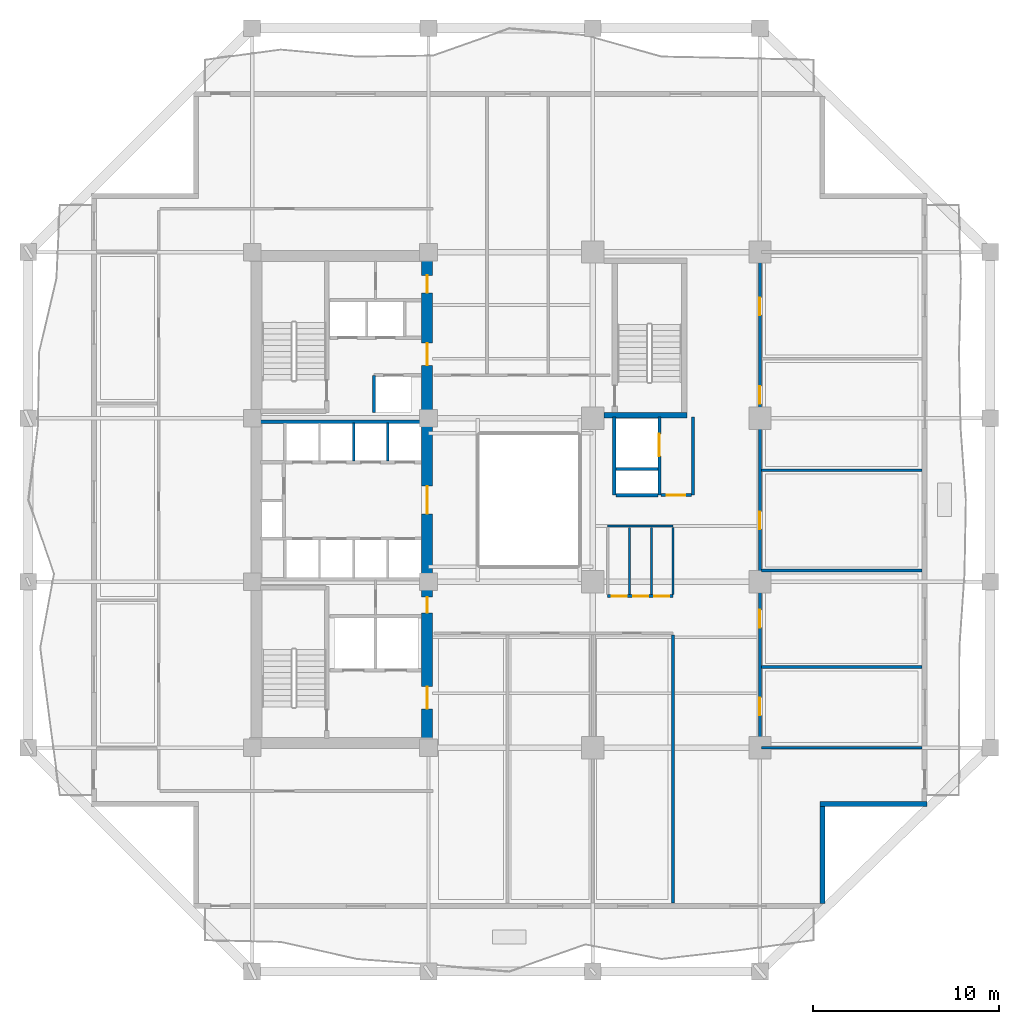
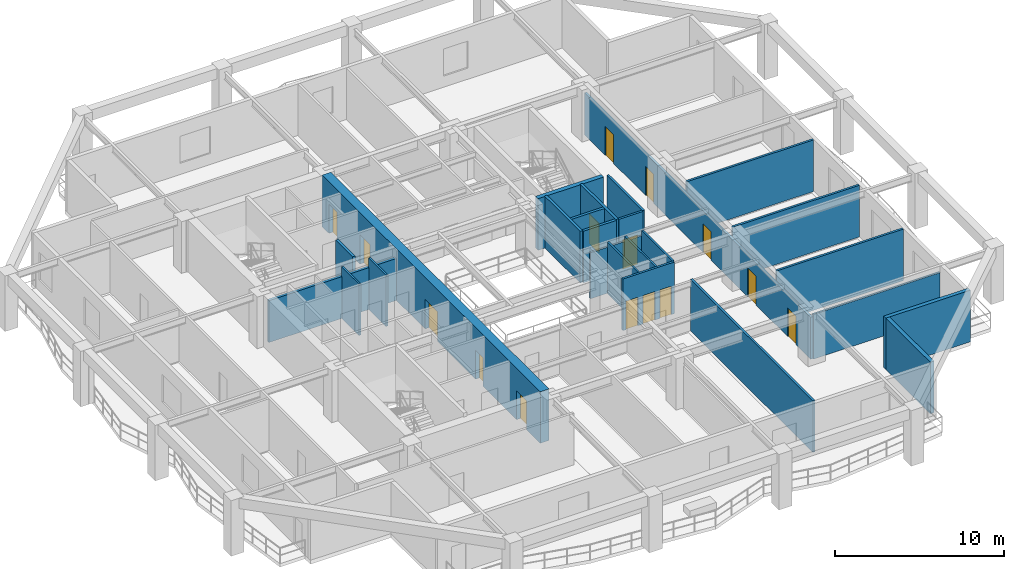
# One storey, part 4 of 13: 25 walls, 15 doors, 15 openings.
"""IFC4 building model written with IfcOpenShell, lengths in metres."""

import ifcopenshell
import ifcopenshell.guid

model = None  # the IFC model being written
_history = None  # IfcOwnerHistory: only IFC2X3 demands one
_inside = {}  # id of a spatial element -> (the spatial element, [elements in it])
_under = {}  # id of a project, library or spatial element -> (it, [spatial elements below it])
_declared = {}  # id of a project -> (the project, [libraries it declares])
_typed = {}  # id of a type object -> (the type object, [elements of that type])
_made_of = {}  # id of a material, layer set ... -> (it, [elements and type objects made of it])


def new_model(schema):
    """Start an empty IFC model of exactly this schema.

    Asked for "IFC4X3", IfcOpenShell would pick the latest addendum, in which some entities
    have other attributes; the version numbers below select the first issue.
    IFC2X3 requires an IfcOwnerHistory on every rooted entity: one is made here for all.
    """
    global model, _history
    if schema == "IFC4X3":
        model = ifcopenshell.file(schema_version=(4, 3, 0, 0))
    else:
        model = ifcopenshell.file(schema=schema)
    _inside.clear()
    _under.clear()
    _declared.clear()
    _typed.clear()
    _made_of.clear()
    _history = None
    if model.schema == "IFC2X3":
        org = make("IfcOrganization", Name="unknown")
        user = make(
            "IfcPersonAndOrganization",
            ThePerson=make("IfcPerson", FamilyName="unknown"),
            TheOrganization=org,
        )
        app = make(
            "IfcApplication",
            ApplicationDeveloper=org,
            Version="unknown",
            ApplicationFullName="unknown",
            ApplicationIdentifier="unknown",
        )
        _history = make(
            "IfcOwnerHistory",
            OwningUser=user,
            OwningApplication=app,
            ChangeAction="ADDED",
            CreationDate=0,
        )
    return model


def make(cls, **values):
    """One entity of the class cls with the attributes given. An attribute that is None is left unset."""
    return model.create_entity(
        cls, **{name: value for name, value in values.items() if value is not None}
    )


def rooted(cls, **values):
    """An entity with a GlobalId (a new one), such as an element, a storey or a relation."""
    return make(cls, GlobalId=ifcopenshell.guid.new(), OwnerHistory=_history, **values)


def si_unit(unit_type, name, prefix=None):
    """IfcSIUnit, for example si_unit("LENGTHUNIT", "METRE", prefix="MILLI")."""
    return make("IfcSIUnit", UnitType=unit_type, Prefix=prefix, Name=name)


def assignment(units):
    """IfcUnitAssignment: the units of a project."""
    return None if units is None else make("IfcUnitAssignment", Units=units)


def point(xyz):
    """IfcCartesianPoint."""
    return None if xyz is None else make("IfcCartesianPoint", Coordinates=xyz)


def direction(xyz):
    """IfcDirection."""
    return None if xyz is None else make("IfcDirection", DirectionRatios=xyz)


def frame(location, z_axis=None, x_axis=None):
    """IfcAxis2Placement3D, a coordinate frame: its origin and axes. An axis left out is left unset."""
    return make(
        "IfcAxis2Placement3D",
        Location=point(location),
        Axis=direction(z_axis),
        RefDirection=direction(x_axis),
    )


def frame_2d(location, x_axis=None):
    """IfcAxis2Placement2D, a coordinate frame in the plane: its origin and x axis."""
    return make(
        "IfcAxis2Placement2D", Location=point(location), RefDirection=direction(x_axis)
    )


def origin():
    """The frame at (0, 0, 0) with its axes left unset."""
    return frame((0.0, 0.0, 0.0))


def place(relative_to, where):
    """IfcLocalPlacement: puts the frame where relative to a parent placement (None: the world)."""
    return make(
        "IfcLocalPlacement", PlacementRelTo=relative_to, RelativePlacement=where
    )


def context(
    kind, dimensions, precision=None, world=None, true_north=None, identifier=None
):
    """IfcGeometricRepresentationContext, for example the 3D "Model" context."""
    return make(
        "IfcGeometricRepresentationContext",
        ContextIdentifier=identifier,
        ContextType=kind,
        CoordinateSpaceDimension=dimensions,
        Precision=precision,
        WorldCoordinateSystem=world,
        TrueNorth=true_north,
    )


def subcontext(parent, identifier, kind, view, scale=None):
    """IfcGeometricRepresentationSubContext, for example "Body" below "Model"."""
    return make(
        "IfcGeometricRepresentationSubContext",
        ContextIdentifier=identifier,
        ContextType=kind,
        ParentContext=parent,
        TargetScale=scale,
        TargetView=view,
    )


def project(units=None, contexts=None):
    """IfcProject with its units and contexts."""
    return rooted(
        "IfcProject",
        Name="project",
        RepresentationContexts=contexts,
        UnitsInContext=assignment(units),
    )


def spatial(cls, under=None, at=None, **own):
    """A site, building, storey or space (cls), placed at a placement, below another one or the project."""
    s = rooted(cls, ObjectPlacement=at, **own)
    if under is not None:
        _under.setdefault(under.id(), (under, []))[1].append(s)
    return s


def profile(cls, at=None, kind="AREA", **sizes):
    """A parametric profile (cls). Its sizes go by their IFC names, for example OverallWidth=200.0."""
    return make(cls, ProfileType=kind, Position=at, **sizes)


def rectangle(**sizes):
    """IfcRectangleProfileDef."""
    return profile("IfcRectangleProfileDef", **sizes)


def extrude(swept, where, along, depth):
    """IfcExtrudedAreaSolid: the profile swept, set in the frame where, extruded along a direction by depth."""
    return make(
        "IfcExtrudedAreaSolid",
        SweptArea=swept,
        Position=where,
        ExtrudedDirection=direction(along),
        Depth=depth,
    )


def shape(context_of_items, identifier, shape_type, items):
    """IfcShapeRepresentation: the items that make up one representation, for example the "Body"."""
    return make(
        "IfcShapeRepresentation",
        ContextOfItems=context_of_items,
        RepresentationIdentifier=identifier,
        RepresentationType=shape_type,
        Items=items,
    )


def material(Name=None, Category=None):
    """IfcMaterial."""
    return make("IfcMaterial", Name=Name, Category=Category)


def layer(
    of_material, thickness, ventilated=None, Name=None, Category=None, Priority=None
):
    """IfcMaterialLayer: one layer of a wall or slab, of a material (None: an air gap)."""
    return make(
        "IfcMaterialLayer",
        Material=of_material,
        LayerThickness=thickness,
        IsVentilated=ventilated,
        Name=Name,
        Category=Category,
        Priority=Priority,
    )


def layer_set(layers, Name=None):
    """IfcMaterialLayerSet."""
    return make("IfcMaterialLayerSet", MaterialLayers=layers, LayerSetName=Name)


def made_of(thing, what):
    """Note that an element or type object is made of a material, layer set ...; save() writes the relation."""
    if what is not None:
        _made_of.setdefault(what.id(), (what, []))[1].append(thing)
    return thing


def type_object(cls, material=None, **own):
    """A type object (cls), such as IfcWallType, which elements share."""
    return made_of(rooted(cls, **own), material)


def element(
    cls,
    number,
    at=None,
    inside=None,
    cuts=None,
    type_object=None,
    material=None,
    context=None,
    identifier="Body",
    shape_type=None,
    held_by="IfcProductDefinitionShape",
    body=None,
    shapes=None,
    **own,
):
    """One element of the class cls, such as IfcWall. Its Tag is "e" and its number.

    at: its placement. inside: the storey or other place that contains it. cuts: it is an
    opening in that element (IfcRelVoidsElement). A single representation is given by context,
    identifier, shape_type and body (its items); several are given by shapes. held_by: the class
    of the entity that holds the representations. save() writes the other relations.
    """
    e = rooted(cls, Tag="e%d" % number, ObjectPlacement=at, **own)
    if body is not None:
        shapes = [shape(context, identifier, shape_type, body)]
    if shapes is not None:
        e.Representation = make(held_by, Representations=shapes)
    if inside is not None:
        _inside.setdefault(inside.id(), (inside, []))[1].append(e)
    if cuts is not None:
        rooted(
            "IfcRelVoidsElement", RelatingBuildingElement=cuts, RelatedOpeningElement=e
        )
    if type_object is not None:
        _typed.setdefault(type_object.id(), (type_object, []))[1].append(e)
    return made_of(e, material)


def fill(opening, filler):
    """IfcRelFillsElement: the door or window that sits in an opening."""
    return rooted(
        "IfcRelFillsElement",
        RelatingOpeningElement=opening,
        RelatedBuildingElement=filler,
    )


def aggregate(whole, parts):
    """IfcRelAggregates: a whole, such as a stair, and the parts it consists of."""
    return rooted("IfcRelAggregates", RelatingObject=whole, RelatedObjects=parts)


def save(model, path):
    """Write the relations noted so far, then the file.

    IfcRelAggregates (storeys below a building ...), IfcRelContainedInSpatialStructure (elements
    in a storey), IfcRelDefinesByType, IfcRelAssociatesMaterial and IfcRelDeclares: one each for
    every whole, place, type object, material and project.
    """
    for whole, parts in _under.values():
        aggregate(whole, parts)
    for where, things in _inside.values():
        rooted(
            "IfcRelContainedInSpatialStructure",
            RelatedElements=things,
            RelatingStructure=where,
        )
    for kind, things in _typed.values():
        rooted("IfcRelDefinesByType", RelatedObjects=things, RelatingType=kind)
    for what, things in _made_of.values():
        rooted("IfcRelAssociatesMaterial", RelatedObjects=things, RelatingMaterial=what)
    for by, libraries in _declared.values():
        rooted("IfcRelDeclares", RelatingContext=by, RelatedDefinitions=libraries)
    model.write(path)


model = new_model("IFC4")

# Units and contexts
model_context = context("Model", 3, precision=1e-05, world=origin(), true_north=direction((0.0, 1.0)))
body_context = subcontext(model_context, "Body", "Model", "MODEL_VIEW")
ifc_project = project(units=[si_unit("LENGTHUNIT", "METRE"), si_unit("AREAUNIT", "SQUARE_METRE"), si_unit("VOLUMEUNIT", "CUBIC_METRE"), si_unit("PLANEANGLEUNIT", "RADIAN"), si_unit("MASSUNIT", "GRAM", prefix="KILO")], contexts=[model_context])

# Site, building, storey
site_placement = place(None, origin())
site = spatial("IfcSite", under=ifc_project, at=site_placement, CompositionType="ELEMENT")
building_placement = place(site_placement, origin())
building = spatial("IfcBuilding", under=site, at=building_placement, Name="Kundavana Baori Tower", CompositionType="ELEMENT")
storey_placement = place(building_placement, frame((0.0, 0.0, 58.0)))
storey = spatial("IfcBuildingStorey", under=building, at=storey_placement, Name="L13", CompositionType="ELEMENT", Elevation=58.0)

# Wall, openings, doors
ifc_material_1 = material(Name="Concrete C60/75", Category="concrete")
ifc_layer_1 = layer(ifc_material_1, 0.60009765625, Name="WL-CORE-600")
ifc_layer_set_1 = layer_set([ifc_layer_1], Name="Concrete C60/75")
wall_type_1 = type_object("IfcWallType", Name="WL-CORE-600", PredefinedType="SHEAR", material=ifc_layer_set_1)
wall_1_placement = place(storey_placement, frame((24.8798828125, 15.739990234375, 0.0), z_axis=(0.0, 0.0, 1.0), x_axis=(0.0, 1.0, 0.0)))
wall_1 = element("IfcWall", 1, at=wall_1_placement, inside=storey, type_object=wall_type_1, Name="L13 Offset Core East Shear Wall", PredefinedType="SHEAR", context=body_context, shape_type="SweptSolid", body=[
    extrude(rectangle(XDim=25.760009765625, YDim=0.60009765625, at=frame_2d((12.8798828125, 0.0))), origin(), (0.0, 0.0, 1.0), 3.719970703125),
])
opening_1_placement = place(wall_1_placement, frame((1.610107421875, 0.0, 0.0)))
opening_1 = element("IfcOpeningElement", 2, at=opening_1_placement, cuts=wall_1, Name="Opening FD-120", PredefinedType="OPENING", context=body_context, shape_type="SweptSolid", body=[
    extrude(rectangle(XDim=1.199951171875, YDim=2.10009765625, at=frame_2d((0.60009765625, 1.050048828125))), frame((0.0, 0.31005859375, 0.0), z_axis=(0.0, -1.0, 0.0), x_axis=(1.0, 0.0, 0.0)), (0.0, 0.0, 1.0), 0.6201171875),
])
opening_2_placement = place(wall_1_placement, frame((6.780029296875, 0.0, 0.0)))
opening_2 = element("IfcOpeningElement", 3, at=opening_2_placement, cuts=wall_1, Name="Opening FD-085", PredefinedType="OPENING", context=body_context, shape_type="SweptSolid", body=[
    extrude(rectangle(XDim=0.85009765625, YDim=2.06005859375, at=frame_2d((0.425048828125, 1.030029296875))), frame((0.0, 0.31005859375, 0.0), z_axis=(0.0, -1.0, 0.0), x_axis=(1.0, 0.0, 0.0)), (0.0, 0.0, 1.0), 0.6201171875),
])
opening_3_placement = place(wall_1_placement, frame((12.110107421875, 0.0, 0.0)))
opening_3 = element("IfcOpeningElement", 4, at=opening_3_placement, cuts=wall_1, Name="Opening FD-150", PredefinedType="OPENING", context=body_context, shape_type="SweptSolid", body=[
    extrude(rectangle(XDim=1.5, YDim=2.1201171875, at=frame_2d((0.75, 1.06005859375))), frame((0.0, 0.31005859375, 0.0), z_axis=(0.0, -1.0, 0.0), x_axis=(1.0, 0.0, 0.0)), (0.0, 0.0, 1.0), 0.6201171875),
])
opening_4_placement = place(wall_1_placement, frame((20.110107421875, 0.0, 0.0)))
opening_4 = element("IfcOpeningElement", 5, at=opening_4_placement, cuts=wall_1, Name="Opening FD-122", PredefinedType="OPENING", context=body_context, shape_type="SweptSolid", body=[
    extrude(rectangle(XDim=1.199951171875, YDim=2.1201171875, at=frame_2d((0.60009765625, 1.06005859375))), frame((0.0, 0.31005859375, 0.0), z_axis=(0.0, -1.0, 0.0), x_axis=(1.0, 0.0, 0.0)), (0.0, 0.0, 1.0), 0.6201171875),
])
opening_5_placement = place(wall_1_placement, frame((24.010009765625, 0.0, 0.0)))
opening_5 = element("IfcOpeningElement", 6, at=opening_5_placement, cuts=wall_1, Name="Opening FD-095", PredefinedType="OPENING", context=body_context, shape_type="SweptSolid", body=[
    extrude(rectangle(XDim=0.949951171875, YDim=2.10009765625, at=frame_2d((0.47509765625, 1.050048828125))), frame((0.0, 0.31005859375, 0.0), z_axis=(0.0, -1.0, 0.0), x_axis=(1.0, 0.0, 0.0)), (0.0, 0.0, 1.0), 0.6201171875),
])
ifc_material_2 = material(Name="Galvanised Steel Fire-Rated Door Leaf", Category="steel")
door_type_1 = type_object("IfcDoorType", Name="DR-FD120-1200", OperationType="NOTDEFINED", PredefinedType="DOOR", material=ifc_material_2)
door_1_placement = place(opening_1_placement, frame((1.199951171875, 0.0, 0.0), z_axis=(0.0, 0.0, 1.0), x_axis=(-1.0, 0.0, 0.0)))
door_1 = element("IfcDoor", 7, at=door_1_placement, inside=storey, type_object=door_type_1, Name="DR-L13-FFLOB-E", OperationType="SINGLE_SWING_RIGHT", OverallHeight=2.10009765625, OverallWidth=1.199951171875, PredefinedType="DOOR", context=body_context, shape_type="SweptSolid", body=[
    extrude(rectangle(XDim=1.199951171875, YDim=2.10009765625, at=frame_2d((0.60009765625, 1.050048828125))), frame((0.0, 0.02490234375, 0.0), z_axis=(0.0, -1.0, 0.0), x_axis=(1.0, 0.0, 0.0)), (0.0, 0.0, 1.0), 0.050048828125),
])
fill(opening_1, door_1)
ifc_material_3 = material(Name="Galvanised Steel Fire-Rated Door Leaf", Category="steel")
door_type_2 = type_object("IfcDoorType", Name="DR-FD60-1200", OperationType="NOTDEFINED", PredefinedType="DOOR", material=ifc_material_3)
door_2_placement = place(opening_4_placement, frame((1.199951171875, 0.0, 0.0), z_axis=(0.0, 0.0, 1.0), x_axis=(-1.0, 0.0, 0.0)))
door_2 = element("IfcDoor", 8, at=door_2_placement, inside=storey, type_object=door_type_2, Name="DR-L13-HRLOB-E", OperationType="SINGLE_SWING_RIGHT", OverallHeight=2.1201171875, OverallWidth=1.199951171875, PredefinedType="DOOR", context=body_context, shape_type="SweptSolid", body=[
    extrude(rectangle(XDim=1.199951171875, YDim=2.1201171875, at=frame_2d((0.60009765625, 1.06005859375))), frame((0.0, 0.02490234375, 0.0), z_axis=(0.0, -1.0, 0.0), x_axis=(1.0, 0.0, 0.0)), (0.0, 0.0, 1.0), 0.050048828125),
])
fill(opening_4, door_2)
ifc_material_4 = material(Name="Galvanised Steel Fire-Rated Door Leaf", Category="steel")
door_type_3 = type_object("IfcDoorType", Name="DR-FD60-1500", OperationType="NOTDEFINED", PredefinedType="DOOR", material=ifc_material_4)
door_3_placement = place(opening_3_placement, frame((1.5, 0.0, 0.0), z_axis=(0.0, 0.0, 1.0), x_axis=(-1.0, 0.0, 0.0)))
door_3 = element("IfcDoor", 9, at=door_3_placement, inside=storey, type_object=door_type_3, Name="DR-L13-LIFTHALL-E", OperationType="SINGLE_SWING_LEFT", OverallHeight=2.1201171875, OverallWidth=1.5, PredefinedType="DOOR", context=body_context, shape_type="SweptSolid", body=[
    extrude(rectangle(XDim=1.5, YDim=2.1201171875, at=frame_2d((0.75, 1.06005859375))), frame((0.0, 0.02490234375, 0.0), z_axis=(0.0, -1.0, 0.0), x_axis=(1.0, 0.0, 0.0)), (0.0, 0.0, 1.0), 0.050048828125),
])
fill(opening_3, door_3)
ifc_material_5 = material(Name="Galvanised Steel Fire-Rated Door Leaf", Category="steel")
door_type_4 = type_object("IfcDoorType", Name="DR-FD60-850", OperationType="NOTDEFINED", PredefinedType="DOOR", material=ifc_material_5)
door_4_placement = place(opening_2_placement, frame((0.85009765625, 0.0, 0.0), z_axis=(0.0, 0.0, 1.0), x_axis=(-1.0, 0.0, 0.0)))
door_4 = element("IfcDoor", 10, at=door_4_placement, inside=storey, type_object=door_type_4, Name="DR-L13-CSMK2", OperationType="SINGLE_SWING_RIGHT", OverallHeight=2.06005859375, OverallWidth=0.85009765625, PredefinedType="DOOR", context=body_context, shape_type="SweptSolid", body=[
    extrude(rectangle(XDim=0.85009765625, YDim=2.06005859375, at=frame_2d((0.425048828125, 1.030029296875))), frame((0.0, 0.02490234375, 0.0), z_axis=(0.0, -1.0, 0.0), x_axis=(1.0, 0.0, 0.0)), (0.0, 0.0, 1.0), 0.050048828125),
])
fill(opening_2, door_4)
ifc_material_6 = material(Name="Engineered Teak Fire-Rated Timber Door Leaf", Category="wood")
door_type_5 = type_object("IfcDoorType", Name="DR-FD60-950", OperationType="NOTDEFINED", PredefinedType="DOOR", material=ifc_material_6)
door_5_placement = place(opening_5_placement, frame((0.949951171875, 0.0, 0.0), z_axis=(0.0, 0.0, 1.0), x_axis=(-1.0, 0.0, 0.0)))
door_5 = element("IfcDoor", 11, at=door_5_placement, inside=storey, type_object=door_type_5, Name="DR-L13-CSRV2", OperationType="SINGLE_SWING_RIGHT", OverallHeight=2.10009765625, OverallWidth=0.949951171875, PredefinedType="DOOR", context=body_context, shape_type="SweptSolid", body=[
    extrude(rectangle(XDim=0.949951171875, YDim=2.10009765625, at=frame_2d((0.47509765625, 1.050048828125))), frame((0.0, 0.02490234375, 0.0), z_axis=(0.0, -1.0, 0.0), x_axis=(1.0, 0.0, 0.0)), (0.0, 0.0, 1.0), 0.050048828125),
])
fill(opening_5, door_5)

# Walls
ifc_material_7 = material(Name="Kiln-Fired Terracotta Brick-Slip Masonry on Concrete C40/50", Category="masonry")
ifc_layer_2 = layer(ifc_material_7, 0.260009765625, Name="WL-EXT-BRK-260")
ifc_layer_set_2 = layer_set([ifc_layer_2], Name="Kiln-Fired Terracotta Brick-Slip Masonry on Concrete C40/50")
wall_type_2 = type_object("IfcWallType", Name="WL-EXT-BRK-260", PredefinedType="SOLIDWALL", material=ifc_layer_set_2)
wall_2_placement = place(storey_placement, frame((46.169921875, 6.860107421875, 0.0), z_axis=(0.0, 0.0, 1.0), x_axis=(0.0, 1.0, 0.0)))
element("IfcWall", 12, at=wall_2_placement, inside=storey, type_object=wall_type_2, Name="L13 Exterior Insulated Facade Wall 02", PredefinedType="SOLIDWALL", context=body_context, shape_type="SweptSolid", body=[
    extrude(rectangle(XDim=5.239990234375, YDim=0.260009765625, at=frame_2d((2.6201171875, 0.0))), origin(), (0.0, 0.0, 1.0), 3.719970703125),
])
wall_3_placement = place(storey_placement, frame((46.0400390625, 12.22998046875, 0.0), z_axis=(0.0, 0.0, 1.0), x_axis=(1.0, 0.0, 0.0)))
element("IfcWall", 13, at=wall_3_placement, inside=storey, type_object=wall_type_2, Name="L13 Exterior Insulated Facade Wall 03", PredefinedType="SOLIDWALL", context=body_context, shape_type="SweptSolid", body=[
    extrude(rectangle(XDim=5.760009765625, YDim=0.260009765625, at=frame_2d((2.8798828125, 0.0))), origin(), (0.0, 0.0, 1.0), 3.719970703125),
])
ifc_material_8 = material(Name="Acoustic Gypsum Plasterboard on Galvanised Steel Studs", Category="steel")
ifc_layer_3 = layer(ifc_material_8, 0.1201171875, Name="WL-PART-120")
ifc_layer_set_3 = layer_set([ifc_layer_3], Name="Acoustic Gypsum Plasterboard on Galvanised Steel Studs")
wall_type_3 = type_object("IfcWallType", Name="WL-PART-120", PredefinedType="PARTITIONING", material=ifc_layer_set_3)
for number, where, z_axis, x_axis, name in (
    (14, (20.919921875, 30.699951171875, 0.0), (0.0, 0.0, 1.0), (0.0, 1.0, 0.0), "WL-L13-LPMID-D2"),
    (15, (22.760009765625, 30.699951171875, 0.0), (0.0, 0.0, 1.0), (0.0, 1.0, 0.0), "WL-L13-LPMID-D3"),
):
    element("IfcWall", number, at=place(storey_placement, frame(where, z_axis=z_axis, x_axis=x_axis)), inside=storey, type_object=wall_type_3, Name=name, PredefinedType="PARTITIONING", context=body_context, shape_type="SweptSolid", body=[
        extrude(rectangle(XDim=2.050048828125, YDim=0.1201171875, at=frame_2d((1.02490234375, 0.0))), origin(), (0.0, 0.0, 1.0), 3.719970703125),
    ])
ifc_material_9 = material(Name="Fire-Rated Gypsum Drywall on Galvanised Steel Studs", Category="steel")
ifc_layer_4 = layer(ifc_material_9, 0.14990234375, Name="WL-PART-150")
ifc_layer_set_4 = layer_set([ifc_layer_4], Name="Fire-Rated Gypsum Drywall on Galvanised Steel Studs")
wall_type_4 = type_object("IfcWallType", Name="WL-PART-150", PredefinedType="PARTITIONING", material=ifc_layer_set_4)
wall_4_placement = place(storey_placement, frame((39.199951171875, 28.860107421875, 0.0), z_axis=(0.0, 0.0, 1.0), x_axis=(0.0, 1.0, 0.0)))
element("IfcWall", 16, at=wall_4_placement, inside=storey, type_object=wall_type_4, Name="WL-L13-SVLOB-E", PredefinedType="PARTITIONING", context=body_context, shape_type="SweptSolid", body=[
    extrude(rectangle(XDim=4.219970703125, YDim=0.14990234375, at=frame_2d((2.10986328125, 0.0))), origin(), (0.0, 0.0, 1.0), 3.719970703125),
])

# Wall, opening, door
wall_5_placement = place(storey_placement, frame((37.47998046875, 28.860107421875, 0.0), z_axis=(0.0, 0.0, 1.0), x_axis=(1.0, 0.0, 0.0)))
wall_5 = element("IfcWall", 17, at=wall_5_placement, inside=storey, type_object=wall_type_4, Name="WL-L13-SVLOB-S", PredefinedType="PARTITIONING", context=body_context, shape_type="SweptSolid", body=[
    extrude(rectangle(XDim=1.64013671875, YDim=0.14990234375, at=frame_2d((0.820068359375, 0.0))), origin(), (0.0, 0.0, 1.0), 3.719970703125),
])
opening_6_placement = place(wall_5_placement, frame((0.300048828125, 0.0, 0.0)))
opening_6 = element("IfcOpeningElement", 18, at=opening_6_placement, cuts=wall_5, Name="Opening FD-100", PredefinedType="OPENING", context=body_context, shape_type="SweptSolid", body=[
    extrude(rectangle(XDim=1.0, YDim=2.10009765625, at=frame_2d((0.5, 1.050048828125))), frame((0.0, 0.0849609375, 0.0), z_axis=(0.0, -1.0, 0.0), x_axis=(1.0, 0.0, 0.0)), (0.0, 0.0, 1.0), 0.169921875),
])
ifc_material_10 = material(Name="Engineered Teak Fire-Rated Timber Door Leaf", Category="wood")
door_type_6 = type_object("IfcDoorType", Name="DR-FD60-1000", OperationType="NOTDEFINED", PredefinedType="DOOR", material=ifc_material_10)
door_6_placement = place(opening_6_placement, origin())
door_6 = element("IfcDoor", 19, at=door_6_placement, inside=storey, type_object=door_type_6, Name="DR-L13-SVLOB-OUT", OperationType="SINGLE_SWING_LEFT", OverallHeight=2.10009765625, OverallWidth=1.0, PredefinedType="DOOR", context=body_context, shape_type="SweptSolid", body=[
    extrude(rectangle(XDim=1.0, YDim=2.10009765625, at=frame_2d((0.5, 1.050048828125))), frame((0.0, 0.02490234375, 0.0), z_axis=(0.0, -1.0, 0.0), x_axis=(1.0, 0.0, 0.0)), (0.0, 0.0, 1.0), 0.050048828125),
])
fill(opening_6, door_6)

# Wall
wall_6_placement = place(storey_placement, frame((38.1201171875, 6.8798828125, 0.0), z_axis=(0.0, 0.0, 1.0), x_axis=(0.0, 1.0, 0.0)))
element("IfcWall", 20, at=wall_6_placement, inside=storey, type_object=wall_type_4, Name="WL-L13-OFSEND", PredefinedType="PARTITIONING", context=body_context, shape_type="SweptSolid", body=[
    extrude(rectangle(XDim=14.460205078125, YDim=0.14990234375, at=frame_2d((7.22998046875, 0.0))), origin(), (0.0, 0.0, 1.0), 3.719970703125),
])

# Wall, openings, doors
wall_7_placement = place(storey_placement, frame((34.60009765625, 23.419921875, 0.0), z_axis=(0.0, 0.0, 1.0), x_axis=(1.0, 0.0, 0.0)))
wall_7 = element("IfcWall", 21, at=wall_7_placement, inside=storey, type_object=wall_type_4, Name="WL-L13-OFST", PredefinedType="PARTITIONING", context=body_context, shape_type="SweptSolid", body=[
    extrude(rectangle(XDim=3.52001953125, YDim=0.14990234375, at=frame_2d((1.760009765625, 0.0))), origin(), (0.0, 0.0, 1.0), 3.719970703125),
])
opening_7_placement = place(wall_7_placement, frame((0.219970703125, 0.0, 0.0)))
opening_7 = element("IfcOpeningElement", 22, at=opening_7_placement, cuts=wall_7, Name="Opening WD-080", PredefinedType="OPENING", context=body_context, shape_type="SweptSolid", body=[
    extrude(rectangle(XDim=0.800048828125, YDim=2.050048828125, at=frame_2d((0.39990234375, 1.02490234375))), frame((0.0, 0.0849609375, 0.0), z_axis=(0.0, -1.0, 0.0), x_axis=(1.0, 0.0, 0.0)), (0.0, 0.0, 1.0), 0.169921875),
])
opening_8_placement = place(wall_7_placement, frame((1.3798828125, 0.0, 0.0)))
opening_8 = element("IfcOpeningElement", 23, at=opening_8_placement, cuts=wall_7, Name="Opening WD-080", PredefinedType="OPENING", context=body_context, shape_type="SweptSolid", body=[
    extrude(rectangle(XDim=0.800048828125, YDim=2.050048828125, at=frame_2d((0.39990234375, 1.02490234375))), frame((0.0, 0.0849609375, 0.0), z_axis=(0.0, -1.0, 0.0), x_axis=(1.0, 0.0, 0.0)), (0.0, 0.0, 1.0), 0.169921875),
])
opening_9_placement = place(wall_7_placement, frame((2.52001953125, 0.0, 0.0)))
opening_9 = element("IfcOpeningElement", 24, at=opening_9_placement, cuts=wall_7, Name="Opening WD-080", PredefinedType="OPENING", context=body_context, shape_type="SweptSolid", body=[
    extrude(rectangle(XDim=0.800048828125, YDim=2.050048828125, at=frame_2d((0.39990234375, 1.02490234375))), frame((0.0, 0.0849609375, 0.0), z_axis=(0.0, -1.0, 0.0), x_axis=(1.0, 0.0, 0.0)), (0.0, 0.0, 1.0), 0.169921875),
])
ifc_material_11 = material(Name="Engineered Teak Solid-Core Timber Veneer", Category="wood")
door_type_7 = type_object("IfcDoorType", Name="DR-WET-800", OperationType="NOTDEFINED", PredefinedType="DOOR", material=ifc_material_11)
door_7_placement = place(opening_7_placement, origin())
door_7 = element("IfcDoor", 25, at=door_7_placement, inside=storey, type_object=door_type_7, Name="DR-L13-WCM", OperationType="SINGLE_SWING_LEFT", OverallHeight=2.050048828125, OverallWidth=0.800048828125, PredefinedType="DOOR", context=body_context, shape_type="SweptSolid", body=[
    extrude(rectangle(XDim=0.800048828125, YDim=2.050048828125, at=frame_2d((0.39990234375, 1.02490234375))), frame((0.0, 0.02490234375, 0.0), z_axis=(0.0, -1.0, 0.0), x_axis=(1.0, 0.0, 0.0)), (0.0, 0.0, 1.0), 0.050048828125),
])
fill(opening_7, door_7)
door_8_placement = place(opening_8_placement, origin())
door_8 = element("IfcDoor", 26, at=door_8_placement, inside=storey, type_object=door_type_7, Name="DR-L13-WCA", OperationType="SINGLE_SWING_RIGHT", OverallHeight=2.050048828125, OverallWidth=0.800048828125, PredefinedType="DOOR", context=body_context, shape_type="SweptSolid", body=[
    extrude(rectangle(XDim=0.800048828125, YDim=2.050048828125, at=frame_2d((0.39990234375, 1.02490234375))), frame((0.0, 0.02490234375, 0.0), z_axis=(0.0, -1.0, 0.0), x_axis=(1.0, 0.0, 0.0)), (0.0, 0.0, 1.0), 0.050048828125),
])
fill(opening_8, door_8)
door_9_placement = place(opening_9_placement, origin())
door_9 = element("IfcDoor", 27, at=door_9_placement, inside=storey, type_object=door_type_7, Name="DR-L13-PNT", OperationType="SINGLE_SWING_LEFT", OverallHeight=2.050048828125, OverallWidth=0.800048828125, PredefinedType="DOOR", context=body_context, shape_type="SweptSolid", body=[
    extrude(rectangle(XDim=0.800048828125, YDim=2.050048828125, at=frame_2d((0.39990234375, 1.02490234375))), frame((0.0, 0.02490234375, 0.0), z_axis=(0.0, -1.0, 0.0), x_axis=(1.0, 0.0, 0.0)), (0.0, 0.0, 1.0), 0.050048828125),
])
fill(opening_9, door_9)

wall_8_placement = place(storey_placement, frame((42.800048828125, 15.25, 0.0), z_axis=(0.0, 0.0, 1.0), x_axis=(0.0, 1.0, 0.0)))
wall_8 = element("IfcWall", 28, at=wall_8_placement, inside=storey, type_object=wall_type_4, Name="WL-L13-OFE", PredefinedType="PARTITIONING", context=body_context, shape_type="SweptSolid", body=[
    extrude(rectangle(XDim=26.699951171875, YDim=0.14990234375, at=frame_2d((13.35009765625, 0.0))), origin(), (0.0, 0.0, 1.0), 3.02001953125),
])
opening_10_placement = place(wall_8_placement, frame((1.75, 0.0, 0.0)))
opening_10 = element("IfcOpeningElement", 29, at=opening_10_placement, cuts=wall_8, Name="Opening ID-095", PredefinedType="OPENING", context=body_context, shape_type="SweptSolid", body=[
    extrude(rectangle(XDim=0.949951171875, YDim=2.080078125, at=frame_2d((0.47509765625, 1.0400390625))), frame((0.0, 0.0849609375, 0.0), z_axis=(0.0, -1.0, 0.0), x_axis=(1.0, 0.0, 0.0)), (0.0, 0.0, 1.0), 0.169921875),
])
opening_11_placement = place(wall_8_placement, frame((6.47509765625, 0.0, 0.0)))
opening_11 = element("IfcOpeningElement", 30, at=opening_11_placement, cuts=wall_8, Name="Opening ID-095", PredefinedType="OPENING", context=body_context, shape_type="SweptSolid", body=[
    extrude(rectangle(XDim=0.949951171875, YDim=2.080078125, at=frame_2d((0.47509765625, 1.0400390625))), frame((0.0, 0.0849609375, 0.0), z_axis=(0.0, -1.0, 0.0), x_axis=(1.0, 0.0, 0.0)), (0.0, 0.0, 1.0), 0.169921875),
])
opening_12_placement = place(wall_8_placement, frame((11.77490234375, 0.0, 0.0)))
opening_12 = element("IfcOpeningElement", 31, at=opening_12_placement, cuts=wall_8, Name="Opening ID-095", PredefinedType="OPENING", context=body_context, shape_type="SweptSolid", body=[
    extrude(rectangle(XDim=0.949951171875, YDim=2.080078125, at=frame_2d((0.47509765625, 1.0400390625))), frame((0.0, 0.0849609375, 0.0), z_axis=(0.0, -1.0, 0.0), x_axis=(1.0, 0.0, 0.0)), (0.0, 0.0, 1.0), 0.169921875),
])
opening_13_placement = place(wall_8_placement, frame((18.52490234375, 0.0, 0.0)))
opening_13 = element("IfcOpeningElement", 32, at=opening_13_placement, cuts=wall_8, Name="Opening ID-095", PredefinedType="OPENING", context=body_context, shape_type="SweptSolid", body=[
    extrude(rectangle(XDim=0.949951171875, YDim=2.080078125, at=frame_2d((0.47509765625, 1.0400390625))), frame((0.0, 0.0849609375, 0.0), z_axis=(0.0, -1.0, 0.0), x_axis=(1.0, 0.0, 0.0)), (0.0, 0.0, 1.0), 0.169921875),
])
opening_14_placement = place(wall_8_placement, frame((23.300048828125, 0.0, 0.0)))
opening_14 = element("IfcOpeningElement", 33, at=opening_14_placement, cuts=wall_8, Name="Opening ID-095", PredefinedType="OPENING", context=body_context, shape_type="SweptSolid", body=[
    extrude(rectangle(XDim=0.949951171875, YDim=2.080078125, at=frame_2d((0.47509765625, 1.0400390625))), frame((0.0, 0.0849609375, 0.0), z_axis=(0.0, -1.0, 0.0), x_axis=(1.0, 0.0, 0.0)), (0.0, 0.0, 1.0), 0.169921875),
])
ifc_material_12 = material(Name="Engineered Teak Solid-Core Timber Veneer", Category="wood")
door_type_8 = type_object("IfcDoorType", Name="DR-INT-950", OperationType="NOTDEFINED", PredefinedType="DOOR", material=ifc_material_12)
door_10_placement = place(opening_10_placement, origin())
door_10 = element("IfcDoor", 34, at=door_10_placement, inside=storey, type_object=door_type_8, Name="DR-L13-OFE1", OperationType="SINGLE_SWING_RIGHT", OverallHeight=2.080078125, OverallWidth=0.949951171875, PredefinedType="DOOR", context=body_context, shape_type="SweptSolid", body=[
    extrude(rectangle(XDim=0.949951171875, YDim=2.080078125, at=frame_2d((0.47509765625, 1.0400390625))), frame((0.0, 0.02490234375, 0.0), z_axis=(0.0, -1.0, 0.0), x_axis=(1.0, 0.0, 0.0)), (0.0, 0.0, 1.0), 0.050048828125),
])
fill(opening_10, door_10)
door_11_placement = place(opening_11_placement, origin())
door_11 = element("IfcDoor", 35, at=door_11_placement, inside=storey, type_object=door_type_8, Name="DR-L13-OFE2", OperationType="SINGLE_SWING_LEFT", OverallHeight=2.080078125, OverallWidth=0.949951171875, PredefinedType="DOOR", context=body_context, shape_type="SweptSolid", body=[
    extrude(rectangle(XDim=0.949951171875, YDim=2.080078125, at=frame_2d((0.47509765625, 1.0400390625))), frame((0.0, 0.02490234375, 0.0), z_axis=(0.0, -1.0, 0.0), x_axis=(1.0, 0.0, 0.0)), (0.0, 0.0, 1.0), 0.050048828125),
])
fill(opening_11, door_11)
door_12_placement = place(opening_12_placement, origin())
door_12 = element("IfcDoor", 36, at=door_12_placement, inside=storey, type_object=door_type_8, Name="DR-L13-OFE3", OperationType="SINGLE_SWING_RIGHT", OverallHeight=2.080078125, OverallWidth=0.949951171875, PredefinedType="DOOR", context=body_context, shape_type="SweptSolid", body=[
    extrude(rectangle(XDim=0.949951171875, YDim=2.080078125, at=frame_2d((0.47509765625, 1.0400390625))), frame((0.0, 0.02490234375, 0.0), z_axis=(0.0, -1.0, 0.0), x_axis=(1.0, 0.0, 0.0)), (0.0, 0.0, 1.0), 0.050048828125),
])
fill(opening_12, door_12)
door_13_placement = place(opening_13_placement, origin())
door_13 = element("IfcDoor", 37, at=door_13_placement, inside=storey, type_object=door_type_8, Name="DR-L13-OFE4", OperationType="SINGLE_SWING_LEFT", OverallHeight=2.080078125, OverallWidth=0.949951171875, PredefinedType="DOOR", context=body_context, shape_type="SweptSolid", body=[
    extrude(rectangle(XDim=0.949951171875, YDim=2.080078125, at=frame_2d((0.47509765625, 1.0400390625))), frame((0.0, 0.02490234375, 0.0), z_axis=(0.0, -1.0, 0.0), x_axis=(1.0, 0.0, 0.0)), (0.0, 0.0, 1.0), 0.050048828125),
])
fill(opening_13, door_13)
door_14_placement = place(opening_14_placement, origin())
door_14 = element("IfcDoor", 38, at=door_14_placement, inside=storey, type_object=door_type_8, Name="DR-L13-OFE5", OperationType="SINGLE_SWING_RIGHT", OverallHeight=2.080078125, OverallWidth=0.949951171875, PredefinedType="DOOR", context=body_context, shape_type="SweptSolid", body=[
    extrude(rectangle(XDim=0.949951171875, YDim=2.080078125, at=frame_2d((0.47509765625, 1.0400390625))), frame((0.0, 0.02490234375, 0.0), z_axis=(0.0, -1.0, 0.0), x_axis=(1.0, 0.0, 0.0)), (0.0, 0.0, 1.0), 0.050048828125),
])
fill(opening_14, door_14)

# Walls
wall_9_placement = place(storey_placement, frame((42.8798828125, 15.25, 0.0), z_axis=(0.0, 0.0, 1.0), x_axis=(1.0, 0.0, 0.0)))
element("IfcWall", 39, at=wall_9_placement, inside=storey, type_object=wall_type_4, Name="WL-L13-OFES", PredefinedType="PARTITIONING", context=body_context, shape_type="SweptSolid", body=[
    extrude(rectangle(XDim=8.64013671875, YDim=0.14990234375, at=frame_2d((4.320068359375, 0.0))), origin(), (0.0, 0.0, 1.0), 3.219970703125),
])
for number, where, z_axis, x_axis, name in (
    (40, (42.8798828125, 19.60009765625, 0.0), (0.0, 0.0, 1.0), (1.0, 0.0, 0.0), "WL-L13-ED1"),
    (41, (42.8798828125, 24.800048828125, 0.0), (0.0, 0.0, 1.0), (1.0, 0.0, 0.0), "WL-L13-ED2"),
    (42, (42.8798828125, 30.199951171875, 0.0), (0.0, 0.0, 1.0), (1.0, 0.0, 0.0), "WL-L13-ED3"),
):
    element("IfcWall", number, at=place(storey_placement, frame(where, z_axis=z_axis, x_axis=x_axis)), inside=storey, type_object=wall_type_4, Name=name, PredefinedType="PARTITIONING", context=body_context, shape_type="SweptSolid", body=[
        extrude(rectangle(XDim=8.64013671875, YDim=0.14990234375, at=frame_2d((4.320068359375, 0.0))), origin(), (0.0, 0.0, 1.0), 3.719970703125),
    ])
ifc_material_13 = material(Name="Autoclaved Aerated Concrete Blockwork Masonry", Category="masonry")
ifc_layer_5 = layer(ifc_material_13, 0.179931640625, Name="WL-SHAFT-180")
ifc_layer_set_5 = layer_set([ifc_layer_5], Name="Autoclaved Aerated Concrete Blockwork Masonry")
wall_type_5 = type_object("IfcWallType", Name="WL-SHAFT-180", PredefinedType="SOLIDWALL", material=ifc_layer_set_5)
wall_10_placement = place(storey_placement, frame((15.89990234375, 32.820068359375, 0.0), z_axis=(0.0, 0.0, 1.0), x_axis=(1.0, 0.0, 0.0)))
element("IfcWall", 43, at=wall_10_placement, inside=storey, type_object=wall_type_5, Name="WL-L13-LPMID-N", PredefinedType="SOLIDWALL", context=body_context, shape_type="SweptSolid", body=[
    extrude(rectangle(XDim=8.68017578125, YDim=0.179931640625, at=frame_2d((4.340087890625, 0.0))), origin(), (0.0, 0.0, 1.0), 3.02001953125),
])
wall_11_placement = place(storey_placement, frame((22.02001953125, 33.300048828125, 0.0), z_axis=(0.0, 0.0, 1.0), x_axis=(0.0, 1.0, 0.0)))
element("IfcWall", 44, at=wall_11_placement, inside=storey, type_object=wall_type_5, Name="WL-L13-LP11-W", PredefinedType="SOLIDWALL", context=body_context, shape_type="SweptSolid", body=[
    extrude(rectangle(XDim=2.010009765625, YDim=0.179931640625, at=frame_2d((1.0048828125, 0.0))), origin(), (0.0, 0.0, 1.0), 3.719970703125),
])
wall_12_placement = place(storey_placement, frame((34.9599609375, 28.860107421875, 0.0), z_axis=(0.0, 0.0, 1.0), x_axis=(0.0, 1.0, 0.0)))
element("IfcWall", 45, at=wall_12_placement, inside=storey, type_object=wall_type_5, Name="WL-L13-SVL-W", PredefinedType="SOLIDWALL", context=body_context, shape_type="SweptSolid", body=[
    extrude(rectangle(XDim=4.219970703125, YDim=0.179931640625, at=frame_2d((2.10986328125, 0.0))), origin(), (0.0, 0.0, 1.0), 3.719970703125),
])

# Wall, opening, door
wall_13_placement = place(storey_placement, frame((37.389892578125, 28.860107421875, 0.0), z_axis=(0.0, 0.0, 1.0), x_axis=(0.0, 1.0, 0.0)))
wall_13 = element("IfcWall", 46, at=wall_13_placement, inside=storey, type_object=wall_type_5, Name="WL-L13-SVL-E", PredefinedType="SOLIDWALL", context=body_context, shape_type="SweptSolid", body=[
    extrude(rectangle(XDim=4.219970703125, YDim=0.179931640625, at=frame_2d((2.10986328125, 0.0))), origin(), (0.0, 0.0, 1.0), 3.719970703125),
])
opening_15_placement = place(wall_13_placement, frame((2.10009765625, 0.0, 0.0)))
opening_15 = element("IfcOpeningElement", 47, at=opening_15_placement, cuts=wall_13, Name="Opening LD-120", PredefinedType="OPENING", context=body_context, shape_type="SweptSolid", body=[
    extrude(rectangle(XDim=1.199951171875, YDim=2.1201171875, at=frame_2d((0.60009765625, 1.06005859375))), frame((0.0, 0.10009765625, 0.0), z_axis=(0.0, -1.0, 0.0), x_axis=(1.0, 0.0, 0.0)), (0.0, 0.0, 1.0), 0.199951171875),
])
ifc_material_14 = material(Name="Galvanised Steel Fire-Rated Door Leaf", Category="steel")
door_type_9 = type_object("IfcDoorType", Name="DR-SLIDE-LD1200", OperationType="NOTDEFINED", PredefinedType="DOOR", material=ifc_material_14)
door_15_placement = place(opening_15_placement, frame((1.199951171875, 0.0, 0.0), z_axis=(0.0, 0.0, 1.0), x_axis=(-1.0, 0.0, 0.0)))
door_15 = element("IfcDoor", 48, at=door_15_placement, inside=storey, type_object=door_type_9, Name="DR-L13-LD-SVL1", OperationType="DOUBLE_DOOR_SLIDING", OverallHeight=2.1201171875, OverallWidth=1.199951171875, PredefinedType="DOOR", context=body_context, shape_type="SweptSolid", body=[
    extrude(rectangle(XDim=1.199951171875, YDim=2.1201171875, at=frame_2d((0.60009765625, 1.06005859375))), frame((0.0, 0.02490234375, 0.0), z_axis=(0.0, -1.0, 0.0), x_axis=(1.0, 0.0, 0.0)), (0.0, 0.0, 1.0), 0.050048828125),
])
fill(opening_15, door_15)

# Walls
for number, where, z_axis, x_axis, name in (
    (49, (35.050048828125, 28.860107421875, 0.0), (0.0, 0.0, 1.0), (1.0, 0.0, 0.0), "WL-L13-SVL-S"),
    (50, (35.050048828125, 30.27001953125, 0.0), (0.0, 0.0, 1.0), (1.0, 0.0, 0.0), "WL-L13-SVL-M"),
):
    element("IfcWall", number, at=place(storey_placement, frame(where, z_axis=z_axis, x_axis=x_axis)), inside=storey, type_object=wall_type_5, Name=name, PredefinedType="SOLIDWALL", context=body_context, shape_type="SweptSolid", body=[
        extrude(rectangle(XDim=2.25, YDim=0.179931640625, at=frame_2d((1.125, 0.0))), origin(), (0.0, 0.0, 1.0), 3.719970703125),
    ])
ifc_material_15 = material(Name="Concrete C50/60", Category="concrete")
ifc_layer_6 = layer(ifc_material_15, 0.300048828125, Name="WL-ST3-300")
ifc_layer_set_6 = layer_set([ifc_layer_6], Name="Concrete C50/60")
wall_type_6 = type_object("IfcWallType", Name="WL-ST3-300", PredefinedType="SHEAR", material=ifc_layer_set_6)
wall_14_placement = place(storey_placement, frame((34.39990234375, 33.159912109375, 0.0), z_axis=(0.0, 0.0, 1.0), x_axis=(1.0, 0.0, 0.0)))
element("IfcWall", 51, at=wall_14_placement, inside=storey, type_object=wall_type_6, Name="L13 Stair ST3 South Shear Wall", PredefinedType="SHEAR", context=body_context, shape_type="SweptSolid", body=[
    extrude(rectangle(XDim=4.47021484375, YDim=0.300048828125, at=frame_2d((2.235107421875, 0.0))), origin(), (0.0, 0.0, 1.0), 3.719970703125),
])
ifc_material_16 = material(Name="Autoclaved Aerated Concrete Blockwork Masonry", Category="masonry")
ifc_layer_7 = layer(ifc_material_16, 0.125, Name="WL-WET-120")
ifc_layer_set_7 = layer_set([ifc_layer_7], Name="Autoclaved Aerated Concrete Blockwork Masonry")
wall_type_7 = type_object("IfcWallType", Name="WL-WET-120", PredefinedType="PLUMBINGWALL", material=ifc_layer_set_7)
wall_15_placement = place(storey_placement, frame((34.60009765625, 27.199951171875, 0.0), z_axis=(0.0, 0.0, 1.0), x_axis=(1.0, 0.0, 0.0)))
element("IfcWall", 52, at=wall_15_placement, inside=storey, type_object=wall_type_7, Name="WL-L13-WCN", PredefinedType="PLUMBINGWALL", context=body_context, shape_type="SweptSolid", body=[
    extrude(rectangle(XDim=3.52001953125, YDim=0.125, at=frame_2d((1.760009765625, 0.0))), origin(), (0.0, 0.0, 1.0), 3.320068359375),
])
for number, where, z_axis, x_axis, name in (
    (53, (38.1201171875, 23.5, 0.0), (0.0, 0.0, 1.0), (0.0, 1.0, 0.0), "WL-L13-WCE"),
    (54, (35.780029296875, 23.5, 0.0), (0.0, 0.0, 1.0), (0.0, 1.0, 0.0), "WL-L13-WCD1"),
    (55, (36.9599609375, 23.5, 0.0), (0.0, 0.0, 1.0), (0.0, 1.0, 0.0), "WL-L13-WCD2"),
):
    element("IfcWall", number, at=place(storey_placement, frame(where, z_axis=z_axis, x_axis=x_axis)), inside=storey, type_object=wall_type_7, Name=name, PredefinedType="PLUMBINGWALL", context=body_context, shape_type="SweptSolid", body=[
        extrude(rectangle(XDim=3.6201171875, YDim=0.125, at=frame_2d((1.81005859375, 0.0))), origin(), (0.0, 0.0, 1.0), 3.719970703125),
    ])

save(model, "model.ifc")
